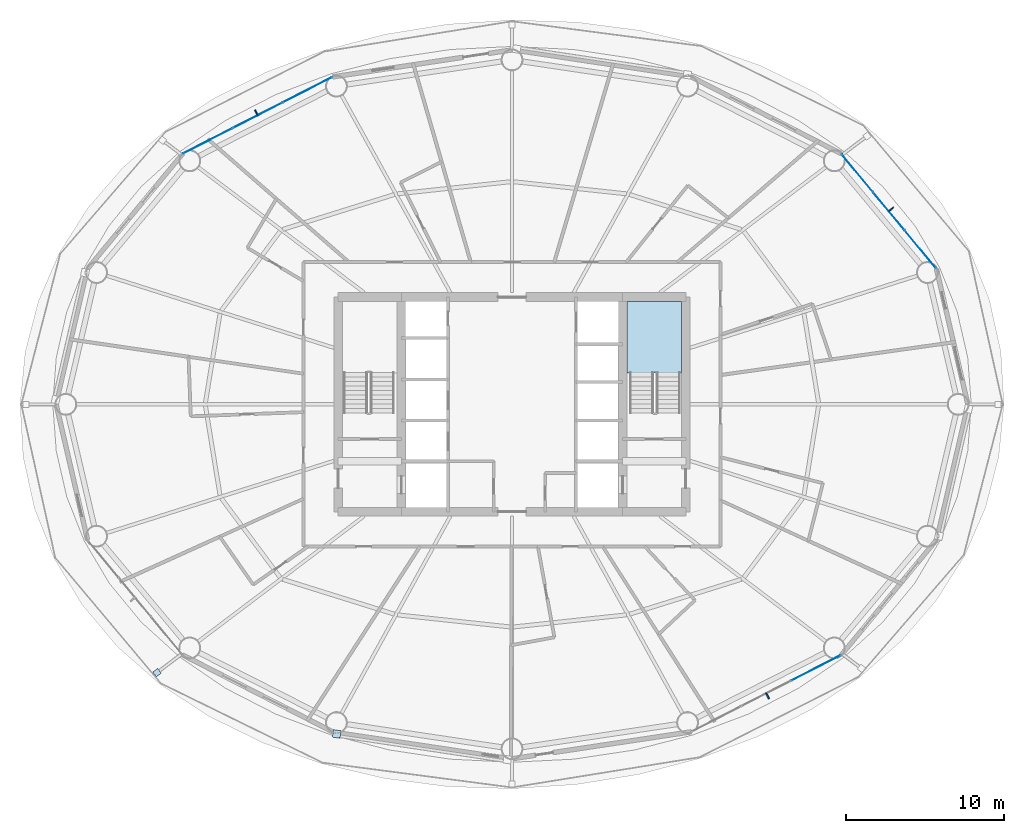
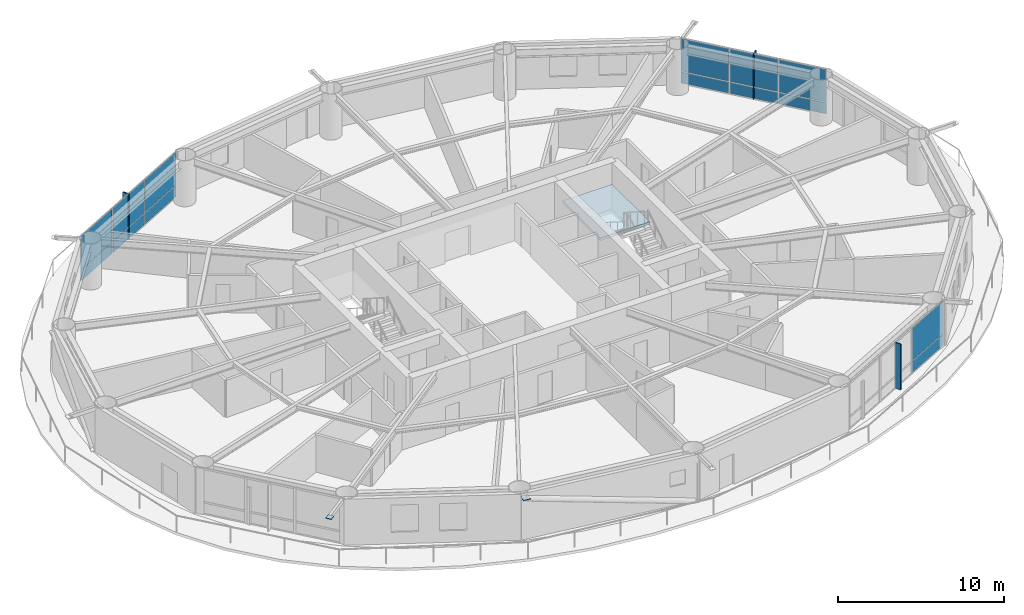
# One storey, part 16 of 24: 19 plates, 1 slab, 4 elements without a shape of their own.
"""IFC4 building model written with IfcOpenShell, lengths in metres."""

from ifc_helpers import new_model, si_unit, direction, frame, origin, origin_2d, place, context, subcontext, project, spatial, polyline, rectangle, outline, extrude, material, layer, layer_set, type_object, element, aggregate, save


model = new_model("IFC4")

# Units and contexts
model_context = context("Model", 3, precision=1e-05, world=origin(), true_north=direction((0.0, 1.0)))
body_context = subcontext(model_context, "Body", "Model", "MODEL_VIEW")
ifc_project = project(units=[si_unit("LENGTHUNIT", "METRE"), si_unit("AREAUNIT", "SQUARE_METRE"), si_unit("VOLUMEUNIT", "CUBIC_METRE"), si_unit("PLANEANGLEUNIT", "RADIAN"), si_unit("MASSUNIT", "GRAM", prefix="KILO")], contexts=[model_context])

# Site, building, storey
site_placement = place(None, origin())
site = spatial("IfcSite", under=ifc_project, at=site_placement, CompositionType="ELEMENT")
building_placement = place(site_placement, origin())
building = spatial("IfcBuilding", under=site, at=building_placement, Name="Sarneth Arch Tower", CompositionType="ELEMENT")
storey_placement = place(building_placement, frame((0.0, 0.0, 123.60009765625)))
storey = spatial("IfcBuildingStorey", under=building, at=storey_placement, Name="L31", CompositionType="ELEMENT", Elevation=123.60009765625)

# Curtain wall, plates
ifc_material_1 = material(Name="Anodised aluminium Type AA25 and solar-control low-e laminated IGU", Category="aluminium")
ifc_layer_1 = layer(ifc_material_1, 0.159912109375)
ifc_layer_set_1 = layer_set([ifc_layer_1], Name="Anodised aluminium Type AA25 and solar-control low-e laminated IGU")
curtain_wall_type = type_object("IfcCurtainWallType", Name="CW-HOTEL-MID", PredefinedType="NOTDEFINED", material=ifc_layer_set_1)
curtain_wall_1_placement = place(storey_placement, origin())
curtain_wall_1 = element("IfcCurtainWall", 1, at=curtain_wall_1_placement, inside=storey, type_object=curtain_wall_type, Name="L31 Unitised curtain wall facet 02", PredefinedType="NOTDEFINED")
ifc_material_2 = material(Name="Solar-control low-e laminated IGU", Category="glass")
ifc_layer_2 = layer(ifc_material_2, 0.028076171875)
ifc_layer_set_2 = layer_set([ifc_layer_2], Name="Solar-control low-e laminated IGU")
plate_type_1 = type_object("IfcPlateType", Name="CW-PANEL", PredefinedType="CURTAIN_PANEL", material=ifc_layer_set_2)
plate_1_placement = place(storey_placement, frame((73.84814453125, 51.807861328125, 0.059814453125), z_axis=(0.0, 0.0, 1.0), x_axis=(-0.637515188684, 0.770437787363, 0.0)))
plate_1 = element("IfcPlate", 2, at=plate_1_placement, type_object=plate_type_1, Name="Curtain wall glazed vision pane CW-L31-F02/P00-00", PredefinedType="CURTAIN_PANEL", context=body_context, shape_type="SweptSolid", body=[
    extrude(rectangle(XDim=3.058349609375, YDim=0.028076171875, at=origin_2d()), origin(), (0.0, 0.0, 1.0), 0.81005859375),
])
plate_2_placement = place(storey_placement, frame((73.84814453125, 51.807861328125, 0.93017578125), z_axis=(0.0, 0.0, 1.0), x_axis=(-0.637515188684, 0.770437787363, 0.0)))
plate_2 = element("IfcPlate", 3, at=plate_2_placement, type_object=plate_type_1, Name="Curtain wall glazed vision pane CW-L31-F02/P00-01", PredefinedType="CURTAIN_PANEL", context=body_context, shape_type="SweptSolid", body=[
    extrude(rectangle(XDim=3.058349609375, YDim=0.028076171875, at=origin_2d()), origin(), (0.0, 0.0, 1.0), 2.389892578125),
])
plate_3_placement = place(storey_placement, frame((71.8505859375, 54.221923828125, 0.059814453125), z_axis=(0.0, 0.0, 1.0), x_axis=(-0.637515188684, 0.770437787363, 0.0)))
plate_3 = element("IfcPlate", 4, at=plate_3_placement, type_object=plate_type_1, Name="Curtain wall glazed vision pane CW-L31-F02/P01-00", PredefinedType="CURTAIN_PANEL", context=body_context, shape_type="SweptSolid", body=[
    extrude(rectangle(XDim=3.08837890625, YDim=0.028076171875, at=origin_2d()), origin(), (0.0, 0.0, 1.0), 0.81005859375),
])
plate_4_placement = place(storey_placement, frame((71.8505859375, 54.221923828125, 0.93017578125), z_axis=(0.0, 0.0, 1.0), x_axis=(-0.637515188684, 0.770437787363, 0.0)))
plate_4 = element("IfcPlate", 5, at=plate_4_placement, type_object=plate_type_1, Name="Curtain wall glazed vision pane CW-L31-F02/P01-01", PredefinedType="CURTAIN_PANEL", context=body_context, shape_type="SweptSolid", body=[
    extrude(rectangle(XDim=3.08837890625, YDim=0.028076171875, at=origin_2d()), origin(), (0.0, 0.0, 1.0), 2.389892578125),
])
plate_5_placement = place(storey_placement, frame((69.85302734375, 56.635986328125, 0.059814453125), z_axis=(0.0, 0.0, 1.0), x_axis=(-0.637515188684, 0.770437787363, 0.0)))
plate_5 = element("IfcPlate", 6, at=plate_5_placement, type_object=plate_type_1, Name="Curtain wall glazed vision pane CW-L31-F02/P02-00", PredefinedType="CURTAIN_PANEL", context=body_context, shape_type="SweptSolid", body=[
    extrude(rectangle(XDim=3.058349609375, YDim=0.028076171875, at=origin_2d()), origin(), (0.0, 0.0, 1.0), 0.81005859375),
])
plate_6_placement = place(storey_placement, frame((69.85302734375, 56.635986328125, 0.93017578125), z_axis=(0.0, 0.0, 1.0), x_axis=(-0.637515188684, 0.770437787363, 0.0)))
plate_6 = element("IfcPlate", 7, at=plate_6_placement, type_object=plate_type_1, Name="Curtain wall glazed vision pane CW-L31-F02/P02-01", PredefinedType="CURTAIN_PANEL", context=body_context, shape_type="SweptSolid", body=[
    extrude(rectangle(XDim=3.058349609375, YDim=0.028076171875, at=origin_2d()), origin(), (0.0, 0.0, 1.0), 2.389892578125),
])
aggregate(curtain_wall_1, [plate_1, plate_2, plate_3, plate_4, plate_5, plate_6])

curtain_wall_2_placement = place(storey_placement, origin())
curtain_wall_2 = element("IfcCurtainWall", 8, at=curtain_wall_2_placement, inside=storey, type_object=curtain_wall_type, Name="L31 Unitised curtain wall facet 06", PredefinedType="NOTDEFINED")
plate_7_placement = place(storey_placement, frame((35.053955078125, 61.905517578125, 0.059814453125), z_axis=(0.0, 0.0, 1.0), x_axis=(-0.889963703649, -0.456031365356, 0.0)))
plate_7 = element("IfcPlate", 9, at=plate_7_placement, type_object=plate_type_1, Name="Curtain wall glazed vision pane CW-L31-F06/P00-00", PredefinedType="CURTAIN_PANEL", context=body_context, shape_type="SweptSolid", body=[
    extrude(rectangle(XDim=3.464111328125, YDim=0.028076171875, at=origin_2d()), origin(), (0.0, 0.0, 1.0), 0.81005859375),
])
plate_8_placement = place(storey_placement, frame((35.053955078125, 61.905517578125, 0.93017578125), z_axis=(0.0, 0.0, 1.0), x_axis=(-0.889963703649, -0.456031365356, 0.0)))
plate_8 = element("IfcPlate", 10, at=plate_8_placement, type_object=plate_type_1, Name="Curtain wall glazed vision pane CW-L31-F06/P00-01", PredefinedType="CURTAIN_PANEL", context=body_context, shape_type="SweptSolid", body=[
    extrude(rectangle(XDim=3.464111328125, YDim=0.028076171875, at=origin_2d()), origin(), (0.0, 0.0, 1.0), 2.389892578125),
])
plate_9_placement = place(storey_placement, frame((31.904296875, 60.29150390625, 0.059814453125), z_axis=(0.0, 0.0, 1.0), x_axis=(-0.889963703649, -0.456031365356, 0.0)))
plate_9 = element("IfcPlate", 11, at=plate_9_placement, type_object=plate_type_1, Name="Curtain wall glazed vision pane CW-L31-F06/P01-00", PredefinedType="CURTAIN_PANEL", context=body_context, shape_type="SweptSolid", body=[
    extrude(rectangle(XDim=3.493896484375, YDim=0.028076171875, at=origin_2d()), origin(), (0.0, 0.0, 1.0), 0.81005859375),
])
plate_10_placement = place(storey_placement, frame((31.904296875, 60.29150390625, 0.93017578125), z_axis=(0.0, 0.0, 1.0), x_axis=(-0.889963703649, -0.456031365356, 0.0)))
plate_10 = element("IfcPlate", 12, at=plate_10_placement, type_object=plate_type_1, Name="Curtain wall glazed vision pane CW-L31-F06/P01-01", PredefinedType="CURTAIN_PANEL", context=body_context, shape_type="SweptSolid", body=[
    extrude(rectangle(XDim=3.493896484375, YDim=0.028076171875, at=origin_2d()), origin(), (0.0, 0.0, 1.0), 2.389892578125),
])
plate_11_placement = place(storey_placement, frame((28.7548828125, 58.677734375, 0.059814453125), z_axis=(0.0, 0.0, 1.0), x_axis=(-0.889963703649, -0.456031365356, 0.0)))
plate_11 = element("IfcPlate", 13, at=plate_11_placement, type_object=plate_type_1, Name="Curtain wall glazed vision pane CW-L31-F06/P02-00", PredefinedType="CURTAIN_PANEL", context=body_context, shape_type="SweptSolid", body=[
    extrude(rectangle(XDim=3.464111328125, YDim=0.028076171875, at=origin_2d()), origin(), (0.0, 0.0, 1.0), 0.81005859375),
])
plate_12_placement = place(storey_placement, frame((28.7548828125, 58.677734375, 0.93017578125), z_axis=(0.0, 0.0, 1.0), x_axis=(-0.889963703649, -0.456031365356, 0.0)))
plate_12 = element("IfcPlate", 14, at=plate_12_placement, type_object=plate_type_1, Name="Curtain wall glazed vision pane CW-L31-F06/P02-01", PredefinedType="CURTAIN_PANEL", context=body_context, shape_type="SweptSolid", body=[
    extrude(rectangle(XDim=3.464111328125, YDim=0.028076171875, at=origin_2d()), origin(), (0.0, 0.0, 1.0), 2.389892578125),
])
aggregate(curtain_wall_2, [plate_7, plate_8, plate_9, plate_10, plate_11, plate_12])

curtain_wall_3_placement = place(storey_placement, origin())
curtain_wall_3 = element("IfcCurtainWall", 15, at=curtain_wall_3_placement, inside=storey, type_object=curtain_wall_type, Name="L31 Unitised curtain wall facet 14", PredefinedType="NOTDEFINED")
plate_13_placement = place(storey_placement, frame((67.2451171875, 25.322265625, 0.059814453125), z_axis=(0.0, 0.0, 1.0), x_axis=(0.889963703649, 0.456031365356, 0.0)))
plate_13 = element("IfcPlate", 16, at=plate_13_placement, type_object=plate_type_1, Name="Curtain wall glazed vision pane CW-L31-F14/P02-00", PredefinedType="CURTAIN_PANEL", context=body_context, shape_type="SweptSolid", body=[
    extrude(rectangle(XDim=3.464111328125, YDim=0.028076171875, at=origin_2d()), origin(), (0.0, 0.0, 1.0), 0.81005859375),
])
plate_14_placement = place(storey_placement, frame((67.2451171875, 25.322265625, 0.93017578125), z_axis=(0.0, 0.0, 1.0), x_axis=(0.889963703649, 0.456031365356, 0.0)))
plate_14 = element("IfcPlate", 17, at=plate_14_placement, type_object=plate_type_1, Name="Curtain wall glazed vision pane CW-L31-F14/P02-01", PredefinedType="CURTAIN_PANEL", context=body_context, shape_type="SweptSolid", body=[
    extrude(rectangle(XDim=3.464111328125, YDim=0.028076171875, at=origin_2d()), origin(), (0.0, 0.0, 1.0), 2.389892578125),
])
aggregate(curtain_wall_3, [plate_13, plate_14])

# Plates
ifc_material_3 = material(Name="Steel S355", Category="steel")
ifc_layer_3 = layer(ifc_material_3, 0.035888671875)
ifc_layer_set_3 = layer_set([ifc_layer_3], Name="Steel S355")
plate_type_2 = type_object("IfcPlateType", Name="PLT-GUSSET-30", PredefinedType="SHEET", material=ifc_layer_set_3)
plate_15_placement = place(storey_placement, frame((25.530029296875, 25.01904296875, 3.2021484375), z_axis=(0.0, 0.0, 1.0), x_axis=(-0.797794439539, -0.602929541689, 0.0)))
element("IfcPlate", 18, at=plate_15_placement, inside=storey, type_object=plate_type_2, Name="Steel end cap plate GP-1", PredefinedType="SHEET", context=body_context, shape_type="SweptSolid", body=[
    extrude(rectangle(XDim=0.3798828125, YDim=0.3798828125, at=origin_2d()), origin(), (0.0, 0.0, 1.0), 0.035888671875),
])
plate_16_placement = place(storey_placement, frame((36.9072265625, 21.140380859375, 2.9951171875), z_axis=(0.0, 0.0, 1.0), x_axis=(0.988860535448, -0.148845024885, 0.0)))
element("IfcPlate", 19, at=plate_16_placement, inside=storey, type_object=plate_type_2, Name="Steel end cap plate GP-1", PredefinedType="SHEET", context=body_context, shape_type="SweptSolid", body=[
    extrude(rectangle(XDim=0.486083984375, YDim=0.486083984375, at=origin_2d()), origin(), (0.0, 0.0, 1.0), 0.035888671875),
])
ifc_material_4 = material(Name="Extruded glazed terracotta baguette fin on Aluminium 6063-T6 carrier", Category="masonry")
ifc_layer_4 = layer(ifc_material_4, 0.080078125)
ifc_layer_set_4 = layer_set([ifc_layer_4], Name="Extruded glazed terracotta baguette fin on Aluminium 6063-T6 carrier")
plate_type_3 = type_object("IfcPlateType", Name="SHADE-TERRA-FIN", PredefinedType="SHEET", material=ifc_layer_set_4)
for number, where, z_axis, x_axis, name in (
    (20, (71.981689453125, 54.330322265625, 0.009765625), (0.0, 0.0, 1.0), (0.770401979567, 0.63755845997, 0.0), "L31 Terracotta vertical shading fin 02"),
    (21, (31.826904296875, 60.44287109375, 0.009765625), (0.0, 0.0, 1.0), (-0.456010959102, 0.889974159838, 0.0), "L31 Terracotta vertical shading fin 06"),
    (22, (64.173095703125, 23.55712890625, 0.009765625), (0.0, 0.0, 1.0), (0.456010959102, -0.889974159838, 0.0), "L31 Terracotta vertical shading fin 14"),
):
    element("IfcPlate", number, at=place(storey_placement, frame(where, z_axis=z_axis, x_axis=x_axis)), inside=storey, type_object=plate_type_3, Name=name, PredefinedType="SHEET", context=body_context, shape_type="SweptSolid", body=[
        extrude(rectangle(XDim=0.419921875, YDim=0.080078125, at=origin_2d()), origin(), (0.0, 0.0, 1.0), 3.360107421875),
    ])

# Stair, slab
ifc_material_5 = material(Name="Concrete C50/60", Category="concrete")
stair_type = type_object("IfcStairType", Name="STAIR-CORE-RC", PredefinedType="HALF_TURN_STAIR", material=ifc_material_5)
stair_placement = place(storey_placement, origin())
stair = element("IfcStair", 23, at=stair_placement, inside=storey, type_object=stair_type, Name="L31 Core Exit Stair 2", PredefinedType="HALF_TURN_STAIR")
ifc_material_6 = material(Name="Concrete C50/60", Category="concrete")
ifc_layer_5 = layer(ifc_material_6, 0.199951171875)
ifc_layer_set_5 = layer_set([ifc_layer_5], Name="Concrete C50/60")
slab_type = type_object("IfcSlabType", Name="SLAB-LANDING-200", PredefinedType="LANDING", material=ifc_layer_set_5)
slab_placement = place(storey_placement, frame((0.0, 0.0, 1.599853515625)))
slab = element("IfcSlab", 24, at=slab_placement, type_object=slab_type, Name="ST-2 landing 1", PredefinedType="LANDING", context=body_context, shape_type="SweptSolid", body=[
    extrude(outline(polyline([(55.27490234375, 43.985107421875), (58.72509765625, 43.985107421875), (58.72509765625, 48.52490234375), (55.27490234375, 48.52490234375), (55.27490234375, 43.985107421875)])), origin(), (0.0, 0.0, 1.0), 0.199951171875),
])
aggregate(stair, [slab])

save(model, "model.ifc")
